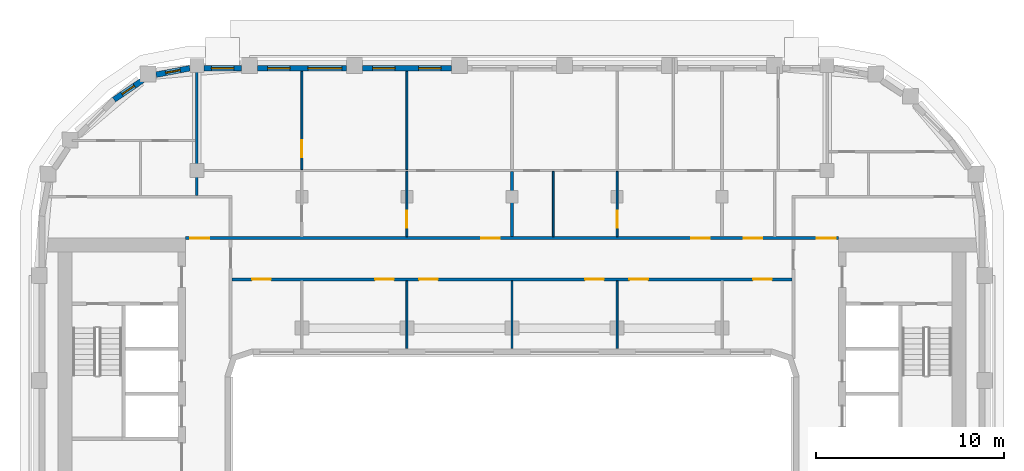
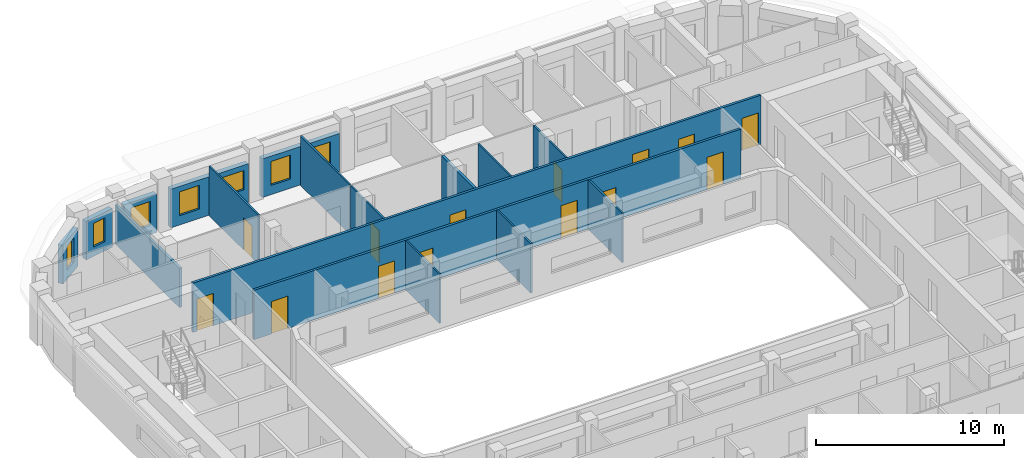
# One storey, part 7 of 21: 17 walls, 14 doors, 7 windows, 21 openings.
"""IFC4 building model written with IfcOpenShell, lengths in metres."""

from ifc_helpers import new_model, si_unit, direction, frame, frame_2d, origin, place, context, subcontext, project, spatial, rectangle, extrude, material, layer, layer_set, type_object, element, fill, save


model = new_model("IFC4")

# Units and contexts
model_context = context("Model", 3, precision=1e-05, world=origin(), true_north=direction((0.0, 1.0)))
body_context = subcontext(model_context, "Body", "Model", "MODEL_VIEW")
ifc_project = project(units=[si_unit("LENGTHUNIT", "METRE"), si_unit("AREAUNIT", "SQUARE_METRE"), si_unit("VOLUMEUNIT", "CUBIC_METRE"), si_unit("PLANEANGLEUNIT", "RADIAN"), si_unit("MASSUNIT", "GRAM", prefix="KILO")], contexts=[model_context])

# Site, building, storey
site_placement = place(None, origin())
site = spatial("IfcSite", under=ifc_project, at=site_placement, CompositionType="ELEMENT")
building_placement = place(site_placement, origin())
building = spatial("IfcBuilding", under=site, at=building_placement, Name="Kiln Ring Residences", CompositionType="ELEMENT")
storey_placement = place(building_placement, frame((0.0, 0.0, 220.39990234375)))
storey = spatial("IfcBuildingStorey", under=building, at=storey_placement, Name="L57", CompositionType="ELEMENT", Elevation=220.39990234375)

# Wall, openings, windows
ifc_material_1 = material(Name="Brick masonry, dark clay brick", Category="masonry")
ifc_layer_1 = layer(ifc_material_1, 0.300048828125)
ifc_layer_set_1 = layer_set([ifc_layer_1], Name="EW-300 BRICK WALL")
wall_type_1 = type_object("IfcWallType", Name="EW-300 BRICK WALL", PredefinedType="SOLIDWALL", material=ifc_layer_set_1)
wall_1_placement = place(storey_placement, frame((-3.22509765625, 22.25, 0.0), z_axis=(0.0, 0.0, 1.0), x_axis=(-1.0, 0.0, 0.0)))
wall_1 = element("IfcWall", 1, at=wall_1_placement, inside=storey, type_object=wall_type_1, Name="Facade wall L57 31", PredefinedType="SOLIDWALL", context=body_context, shape_type="SweptSolid", body=[
    extrude(rectangle(XDim=4.75, YDim=0.300048828125, at=frame_2d((2.375, 0.0))), origin(), (0.0, 0.0, 1.0), 2.5),
])
opening_1_placement = place(wall_1_placement, frame((0.550048828125, 0.0, 0.60009765625)))
opening_1 = element("IfcOpeningElement", 2, at=opening_1_placement, cuts=wall_1, Name="Opening W1", PredefinedType="OPENING", context=body_context, shape_type="SweptSolid", body=[
    extrude(rectangle(XDim=1.199951171875, YDim=1.550048828125, at=frame_2d((0.60009765625, 0.77490234375))), frame((0.0, 0.159912109375, 0.0), z_axis=(0.0, -1.0, 0.0), x_axis=(1.0, 0.0, 0.0)), (0.0, 0.0, 1.0), 0.320068359375),
])
opening_2_placement = place(wall_1_placement, frame((3.0, 0.0, 0.60009765625)))
opening_2 = element("IfcOpeningElement", 3, at=opening_2_placement, cuts=wall_1, Name="Opening W1", PredefinedType="OPENING", context=body_context, shape_type="SweptSolid", body=[
    extrude(rectangle(XDim=1.199951171875, YDim=1.550048828125, at=frame_2d((0.60009765625, 0.77490234375))), frame((0.0, 0.159912109375, 0.0), z_axis=(0.0, -1.0, 0.0), x_axis=(1.0, 0.0, 0.0)), (0.0, 0.0, 1.0), 0.320068359375),
])
ifc_material_2 = material(Name="Aluminium frame with double glazing", Category="aluminium")
window_type_1 = type_object("IfcWindowType", Name="WINDOW 1200 x 1550", PartitioningType="SINGLE_PANEL", PredefinedType="WINDOW", material=ifc_material_2)
window_1_placement = place(opening_1_placement, origin())
window_1 = element("IfcWindow", 4, at=window_1_placement, inside=storey, type_object=window_type_1, Name="Window L57 26", OverallHeight=1.550048828125, OverallWidth=1.199951171875, PartitioningType="SINGLE_PANEL", PredefinedType="WINDOW", context=body_context, shape_type="SweptSolid", body=[
    extrude(rectangle(XDim=1.199951171875, YDim=1.550048828125, at=frame_2d((0.60009765625, 0.77490234375))), frame((0.0, 0.030029296875, 0.0), z_axis=(0.0, -1.0, 0.0), x_axis=(1.0, 0.0, 0.0)), (0.0, 0.0, 1.0), 0.06005859375),
])
fill(opening_1, window_1)
window_2_placement = place(opening_2_placement, origin())
window_2 = element("IfcWindow", 5, at=window_2_placement, inside=storey, type_object=window_type_1, Name="Window L57 27", OverallHeight=1.550048828125, OverallWidth=1.199951171875, PartitioningType="SINGLE_PANEL", PredefinedType="WINDOW", context=body_context, shape_type="SweptSolid", body=[
    extrude(rectangle(XDim=1.199951171875, YDim=1.550048828125, at=frame_2d((0.60009765625, 0.77490234375))), frame((0.0, 0.030029296875, 0.0), z_axis=(0.0, -1.0, 0.0), x_axis=(1.0, 0.0, 0.0)), (0.0, 0.0, 1.0), 0.06005859375),
])
fill(opening_2, window_2)

wall_2_placement = place(storey_placement, frame((-8.824951171875, 22.25, 0.0), z_axis=(0.0, 0.0, 1.0), x_axis=(-1.0, 0.0, 0.0)))
wall_2 = element("IfcWall", 6, at=wall_2_placement, inside=storey, type_object=wall_type_1, Name="Facade wall L57 32", PredefinedType="SOLIDWALL", context=body_context, shape_type="SweptSolid", body=[
    extrude(rectangle(XDim=4.75, YDim=0.300048828125, at=frame_2d((2.375, 0.0))), origin(), (0.0, 0.0, 1.0), 2.5),
])
opening_3_placement = place(wall_2_placement, frame((0.25, 0.0, 0.89990234375)))
opening_3 = element("IfcOpeningElement", 7, at=opening_3_placement, cuts=wall_2, Name="Opening W2", PredefinedType="OPENING", context=body_context, shape_type="SweptSolid", body=[
    extrude(rectangle(XDim=1.800048828125, YDim=1.25, at=frame_2d((0.89990234375, 0.625))), frame((0.0, 0.159912109375, 0.0), z_axis=(0.0, -1.0, 0.0), x_axis=(1.0, 0.0, 0.0)), (0.0, 0.0, 1.0), 0.320068359375),
])
opening_4_placement = place(wall_2_placement, frame((3.0, 0.0, 0.60009765625)))
opening_4 = element("IfcOpeningElement", 8, at=opening_4_placement, cuts=wall_2, Name="Opening W1", PredefinedType="OPENING", context=body_context, shape_type="SweptSolid", body=[
    extrude(rectangle(XDim=1.199951171875, YDim=1.550048828125, at=frame_2d((0.60009765625, 0.77490234375))), frame((0.0, 0.159912109375, 0.0), z_axis=(0.0, -1.0, 0.0), x_axis=(1.0, 0.0, 0.0)), (0.0, 0.0, 1.0), 0.320068359375),
])
window_3_placement = place(opening_4_placement, origin())
window_3 = element("IfcWindow", 9, at=window_3_placement, inside=storey, type_object=window_type_1, Name="Window L57 29", OverallHeight=1.550048828125, OverallWidth=1.199951171875, PartitioningType="SINGLE_PANEL", PredefinedType="WINDOW", context=body_context, shape_type="SweptSolid", body=[
    extrude(rectangle(XDim=1.199951171875, YDim=1.550048828125, at=frame_2d((0.60009765625, 0.77490234375))), frame((0.0, 0.030029296875, 0.0), z_axis=(0.0, -1.0, 0.0), x_axis=(1.0, 0.0, 0.0)), (0.0, 0.0, 1.0), 0.06005859375),
])
fill(opening_4, window_3)
ifc_material_3 = material(Name="Aluminium frame with double glazing", Category="aluminium")
window_type_2 = type_object("IfcWindowType", Name="WINDOW 1800 x 1250", PartitioningType="SINGLE_PANEL", PredefinedType="WINDOW", material=ifc_material_3)
window_4_placement = place(opening_3_placement, origin())
window_4 = element("IfcWindow", 10, at=window_4_placement, inside=storey, type_object=window_type_2, Name="Window L57 28", OverallHeight=1.25, OverallWidth=1.800048828125, PartitioningType="SINGLE_PANEL", PredefinedType="WINDOW", context=body_context, shape_type="SweptSolid", body=[
    extrude(rectangle(XDim=1.800048828125, YDim=1.25, at=frame_2d((0.89990234375, 0.625))), frame((0.0, 0.030029296875, 0.0), z_axis=(0.0, -1.0, 0.0), x_axis=(1.0, 0.0, 0.0)), (0.0, 0.0, 1.0), 0.06005859375),
])
fill(opening_3, window_4)

# Wall, opening, window
wall_3_placement = place(storey_placement, frame((-14.425048828125, 22.25, 0.0), z_axis=(0.0, 0.0, 1.0), x_axis=(-1.0, 0.0, 0.0)))
wall_3 = element("IfcWall", 11, at=wall_3_placement, inside=storey, type_object=wall_type_1, Name="Facade wall L57 33", PredefinedType="SOLIDWALL", context=body_context, shape_type="SweptSolid", body=[
    extrude(rectangle(XDim=2.0, YDim=0.300048828125, at=frame_2d((1.0, 0.0))), origin(), (0.0, 0.0, 1.0), 2.5),
])
opening_5_placement = place(wall_3_placement, frame((0.39990234375, 0.0, 0.60009765625)))
opening_5 = element("IfcOpeningElement", 12, at=opening_5_placement, cuts=wall_3, Name="Opening W1", PredefinedType="OPENING", context=body_context, shape_type="SweptSolid", body=[
    extrude(rectangle(XDim=1.199951171875, YDim=1.550048828125, at=frame_2d((0.60009765625, 0.77490234375))), frame((0.0, 0.159912109375, 0.0), z_axis=(0.0, -1.0, 0.0), x_axis=(1.0, 0.0, 0.0)), (0.0, 0.0, 1.0), 0.320068359375),
])
window_5_placement = place(opening_5_placement, origin())
window_5 = element("IfcWindow", 13, at=window_5_placement, inside=storey, type_object=window_type_1, Name="Window L57 30", OverallHeight=1.550048828125, OverallWidth=1.199951171875, PartitioningType="SINGLE_PANEL", PredefinedType="WINDOW", context=body_context, shape_type="SweptSolid", body=[
    extrude(rectangle(XDim=1.199951171875, YDim=1.550048828125, at=frame_2d((0.60009765625, 0.77490234375))), frame((0.0, 0.030029296875, 0.0), z_axis=(0.0, -1.0, 0.0), x_axis=(1.0, 0.0, 0.0)), (0.0, 0.0, 1.0), 0.06005859375),
])
fill(opening_5, window_5)

wall_4_placement = place(storey_placement, frame((-17.171875, 22.252685546875, 0.0), z_axis=(0.0, 0.0, 1.0), x_axis=(-0.982300037503, -0.187314271538, 0.0)))
wall_4 = element("IfcWall", 14, at=wall_4_placement, inside=storey, type_object=wall_type_1, Name="Facade wall L57 34", PredefinedType="SOLIDWALL", context=body_context, shape_type="SweptSolid", body=[
    extrude(rectangle(XDim=1.831298828125, YDim=0.300048828125, at=frame_2d((0.91552734375, 0.0))), origin(), (0.0, 0.0, 1.0), 2.5),
])
opening_6_placement = place(wall_4_placement, frame((0.515625, 0.0, 0.60009765625)))
opening_6 = element("IfcOpeningElement", 15, at=opening_6_placement, cuts=wall_4, Name="Opening W5", PredefinedType="OPENING", context=body_context, shape_type="SweptSolid", body=[
    extrude(rectangle(XDim=0.800048828125, YDim=1.550048828125, at=frame_2d((0.39990234375, 0.77490234375))), frame((0.0, 0.159912109375, 0.0), z_axis=(0.0, -1.0, 0.0), x_axis=(1.0, 0.0, 0.0)), (0.0, 0.0, 1.0), 0.320068359375),
])
ifc_material_4 = material(Name="Aluminium frame with double glazing", Category="aluminium")
window_type_3 = type_object("IfcWindowType", Name="WINDOW 800 x 1550", PartitioningType="SINGLE_PANEL", PredefinedType="WINDOW", material=ifc_material_4)
window_6_placement = place(opening_6_placement, origin())
window_6 = element("IfcWindow", 16, at=window_6_placement, inside=storey, type_object=window_type_3, Name="Window L57 31", OverallHeight=1.550048828125, OverallWidth=0.800048828125, PartitioningType="SINGLE_PANEL", PredefinedType="WINDOW", context=body_context, shape_type="SweptSolid", body=[
    extrude(rectangle(XDim=0.800048828125, YDim=1.550048828125, at=frame_2d((0.39990234375, 0.77490234375))), frame((0.0, 0.030029296875, 0.0), z_axis=(0.0, -1.0, 0.0), x_axis=(1.0, 0.0, 0.0)), (0.0, 0.0, 1.0), 0.06005859375),
])
fill(opening_6, window_6)

wall_5_placement = place(storey_placement, frame((-19.6982421875, 21.608154296875, 0.0), z_axis=(0.0, 0.0, 1.0), x_axis=(-0.82705295608, -0.562124014644, 0.0)))
wall_5 = element("IfcWall", 17, at=wall_5_placement, inside=storey, type_object=wall_type_1, Name="Facade wall L57 35", PredefinedType="SOLIDWALL", context=body_context, shape_type="SweptSolid", body=[
    extrude(rectangle(XDim=1.8310546875, YDim=0.300048828125, at=frame_2d((0.91552734375, 0.0))), origin(), (0.0, 0.0, 1.0), 2.5),
])
opening_7_placement = place(wall_5_placement, frame((0.515625, 0.0, 0.60009765625)))
opening_7 = element("IfcOpeningElement", 18, at=opening_7_placement, cuts=wall_5, Name="Opening W5", PredefinedType="OPENING", context=body_context, shape_type="SweptSolid", body=[
    extrude(rectangle(XDim=0.800048828125, YDim=1.550048828125, at=frame_2d((0.39990234375, 0.77490234375))), frame((0.0, 0.159912109375, 0.0), z_axis=(0.0, -1.0, 0.0), x_axis=(1.0, 0.0, 0.0)), (0.0, 0.0, 1.0), 0.320068359375),
])
window_7_placement = place(opening_7_placement, origin())
window_7 = element("IfcWindow", 19, at=window_7_placement, inside=storey, type_object=window_type_3, Name="Window L57 32", OverallHeight=1.550048828125, OverallWidth=0.800048828125, PartitioningType="SINGLE_PANEL", PredefinedType="WINDOW", context=body_context, shape_type="SweptSolid", body=[
    extrude(rectangle(XDim=0.800048828125, YDim=1.550048828125, at=frame_2d((0.39990234375, 0.77490234375))), frame((0.0, 0.030029296875, 0.0), z_axis=(0.0, -1.0, 0.0), x_axis=(1.0, 0.0, 0.0)), (0.0, 0.0, 1.0), 0.06005859375),
])
fill(opening_7, window_7)

# Wall, opening, door
ifc_material_5 = material(Name="Gypsum board on steel studs", Category="steel")
ifc_layer_2 = layer(ifc_material_5, 0.10009765625)
ifc_layer_set_2 = layer_set([ifc_layer_2], Name="PARTITION-100")
wall_type_2 = type_object("IfcWallType", Name="PARTITION-100", PredefinedType="PARTITIONING", material=ifc_layer_set_2)
wall_6_placement = place(storey_placement, frame((-11.199951171875, 16.85009765625, 0.0), z_axis=(0.0, 0.0, 1.0), x_axis=(0.0, 1.0, 0.0)))
wall_6 = element("IfcWall", 20, at=wall_6_placement, inside=storey, type_object=wall_type_2, Name="Partition 026", PredefinedType="PARTITIONING", context=body_context, shape_type="SweptSolid", body=[
    extrude(rectangle(XDim=5.22998046875, YDim=0.10009765625, at=frame_2d((2.614990234375, 0.0))), origin(), (0.0, 0.0, 1.0), 3.2001953125),
])
opening_8_placement = place(wall_6_placement, frame((0.659912109375, 0.0, 0.0)))
opening_8 = element("IfcOpeningElement", 21, at=opening_8_placement, cuts=wall_6, Name="Opening L57-D020", PredefinedType="OPENING", context=body_context, shape_type="SweptSolid", body=[
    extrude(rectangle(XDim=0.89990234375, YDim=2.10009765625, at=frame_2d((0.449951171875, 1.050048828125))), frame((0.0, 0.06005859375, 0.0), z_axis=(0.0, -1.0, 0.0), x_axis=(1.0, 0.0, 0.0)), (0.0, 0.0, 1.0), 0.1201171875),
])
ifc_material_6 = material(Name="Timber door leaf", Category="wood")
door_type_1 = type_object("IfcDoorType", Name="FLAT-DOOR-900-PL", OperationType="SINGLE_SWING_LEFT", PredefinedType="DOOR", material=ifc_material_6)
door_1_placement = place(opening_8_placement, origin())
door_1 = element("IfcDoor", 22, at=door_1_placement, inside=storey, type_object=door_type_1, Name="Door L57-D020", OperationType="SINGLE_SWING_RIGHT", OverallHeight=2.10009765625, OverallWidth=0.89990234375, PredefinedType="DOOR", context=body_context, shape_type="SweptSolid", body=[
    extrude(rectangle(XDim=0.89990234375, YDim=2.10009765625, at=frame_2d((0.449951171875, 1.050048828125))), frame((0.0, 0.02490234375, 0.0), z_axis=(0.0, -1.0, 0.0), x_axis=(1.0, 0.0, 0.0)), (0.0, 0.0, 1.0), 0.050048828125),
])
fill(opening_8, door_1)

# Wall
wall_7_placement = place(storey_placement, frame((-5.60009765625, 7.320068359375, 0.0), z_axis=(0.0, 0.0, 1.0), x_axis=(0.0, 1.0, 0.0)))
element("IfcWall", 23, at=wall_7_placement, inside=storey, type_object=wall_type_2, Name="Partition 033", PredefinedType="PARTITIONING", context=body_context, shape_type="SweptSolid", body=[
    extrude(rectangle(XDim=3.60498046875, YDim=0.10009765625, at=frame_2d((1.802490234375, 0.0))), origin(), (0.0, 0.0, 1.0), 3.2001953125),
])

# Wall, opening, door
wall_8_placement = place(storey_placement, frame((-5.60009765625, 13.27490234375, 0.0), z_axis=(0.0, 0.0, 1.0), x_axis=(0.0, 1.0, 0.0)))
wall_8 = element("IfcWall", 24, at=wall_8_placement, inside=storey, type_object=wall_type_2, Name="Partition 034", PredefinedType="PARTITIONING", context=body_context, shape_type="SweptSolid", body=[
    extrude(rectangle(XDim=3.47509765625, YDim=0.10009765625, at=frame_2d((1.737548828125, 0.0))), origin(), (0.0, 0.0, 1.0), 3.2001953125),
])
opening_9_placement = place(wall_8_placement, frame((0.47509765625, 0.0, 0.0)))
opening_9 = element("IfcOpeningElement", 25, at=opening_9_placement, cuts=wall_8, Name="Opening L57-D016", PredefinedType="OPENING", context=body_context, shape_type="SweptSolid", body=[
    extrude(rectangle(XDim=0.89990234375, YDim=2.10009765625, at=frame_2d((0.449951171875, 1.050048828125))), frame((0.0, 0.06005859375, 0.0), z_axis=(0.0, -1.0, 0.0), x_axis=(1.0, 0.0, 0.0)), (0.0, 0.0, 1.0), 0.1201171875),
])
door_2_placement = place(opening_9_placement, origin())
door_2 = element("IfcDoor", 26, at=door_2_placement, inside=storey, type_object=door_type_1, Name="Door L57-D016", OperationType="SINGLE_SWING_RIGHT", OverallHeight=2.10009765625, OverallWidth=0.89990234375, PredefinedType="DOOR", context=body_context, shape_type="SweptSolid", body=[
    extrude(rectangle(XDim=0.89990234375, YDim=2.10009765625, at=frame_2d((0.449951171875, 1.050048828125))), frame((0.0, 0.02490234375, 0.0), z_axis=(0.0, -1.0, 0.0), x_axis=(1.0, 0.0, 0.0)), (0.0, 0.0, 1.0), 0.050048828125),
])
fill(opening_9, door_2)

# Walls
wall_9_placement = place(storey_placement, frame((-5.60009765625, 16.85009765625, 0.0), z_axis=(0.0, 0.0, 1.0), x_axis=(0.0, 1.0, 0.0)))
element("IfcWall", 27, at=wall_9_placement, inside=storey, type_object=wall_type_2, Name="Partition 035", PredefinedType="PARTITIONING", context=body_context, shape_type="SweptSolid", body=[
    extrude(rectangle(XDim=5.22998046875, YDim=0.10009765625, at=frame_2d((2.614990234375, 0.0))), origin(), (0.0, 0.0, 1.0), 3.2001953125),
])
wall_10_placement = place(storey_placement, frame((0.0, 7.320068359375, 0.0), z_axis=(0.0, 0.0, 1.0), x_axis=(0.0, 1.0, 0.0)))
element("IfcWall", 28, at=wall_10_placement, inside=storey, type_object=wall_type_2, Name="Partition 038", PredefinedType="PARTITIONING", context=body_context, shape_type="SweptSolid", body=[
    extrude(rectangle(XDim=3.60498046875, YDim=0.10009765625, at=frame_2d((1.802490234375, 0.0))), origin(), (0.0, 0.0, 1.0), 3.2001953125),
])
wall_11_placement = place(storey_placement, frame((2.199951171875, 13.27490234375, 0.0), z_axis=(0.0, 0.0, 1.0), x_axis=(0.0, 1.0, 0.0)))
element("IfcWall", 29, at=wall_11_placement, inside=storey, type_object=wall_type_2, Name="Partition 043", PredefinedType="PARTITIONING", context=body_context, shape_type="SweptSolid", body=[
    extrude(rectangle(XDim=3.47509765625, YDim=0.10009765625, at=frame_2d((1.737548828125, 0.0))), origin(), (0.0, 0.0, 1.0), 3.2001953125),
])
wall_12_placement = place(storey_placement, frame((5.60009765625, 7.320068359375, 0.0), z_axis=(0.0, 0.0, 1.0), x_axis=(0.0, 1.0, 0.0)))
element("IfcWall", 30, at=wall_12_placement, inside=storey, type_object=wall_type_2, Name="Partition 048", PredefinedType="PARTITIONING", context=body_context, shape_type="SweptSolid", body=[
    extrude(rectangle(XDim=3.60498046875, YDim=0.10009765625, at=frame_2d((1.802490234375, 0.0))), origin(), (0.0, 0.0, 1.0), 3.2001953125),
])

# Wall, opening, door
wall_13_placement = place(storey_placement, frame((5.60009765625, 13.27490234375, 0.0), z_axis=(0.0, 0.0, 1.0), x_axis=(0.0, 1.0, 0.0)))
wall_13 = element("IfcWall", 31, at=wall_13_placement, inside=storey, type_object=wall_type_2, Name="Partition 049", PredefinedType="PARTITIONING", context=body_context, shape_type="SweptSolid", body=[
    extrude(rectangle(XDim=3.47509765625, YDim=0.10009765625, at=frame_2d((1.737548828125, 0.0))), origin(), (0.0, 0.0, 1.0), 3.2001953125),
])
opening_10_placement = place(wall_13_placement, frame((0.47509765625, 0.0, 0.0)))
opening_10 = element("IfcOpeningElement", 32, at=opening_10_placement, cuts=wall_13, Name="Opening L57-D022", PredefinedType="OPENING", context=body_context, shape_type="SweptSolid", body=[
    extrude(rectangle(XDim=0.89990234375, YDim=2.10009765625, at=frame_2d((0.449951171875, 1.050048828125))), frame((0.0, 0.06005859375, 0.0), z_axis=(0.0, -1.0, 0.0), x_axis=(1.0, 0.0, 0.0)), (0.0, 0.0, 1.0), 0.1201171875),
])
door_3_placement = place(opening_10_placement, origin())
door_3 = element("IfcDoor", 33, at=door_3_placement, inside=storey, type_object=door_type_1, Name="Door L57-D022", OperationType="SINGLE_SWING_RIGHT", OverallHeight=2.10009765625, OverallWidth=0.89990234375, PredefinedType="DOOR", context=body_context, shape_type="SweptSolid", body=[
    extrude(rectangle(XDim=0.89990234375, YDim=2.10009765625, at=frame_2d((0.449951171875, 1.050048828125))), frame((0.0, 0.02490234375, 0.0), z_axis=(0.0, -1.0, 0.0), x_axis=(1.0, 0.0, 0.0)), (0.0, 0.0, 1.0), 0.050048828125),
])
fill(opening_10, door_3)

# Wall, openings, doors
ifc_material_7 = material(Name="Brick masonry partition", Category="masonry")
ifc_layer_3 = layer(ifc_material_7, 0.14990234375)
ifc_layer_set_3 = layer_set([ifc_layer_3], Name="PARTITION-150-ei60")
wall_type_3 = type_object("IfcWallType", Name="PARTITION-150-ei60", PredefinedType="PARTITIONING", material=ifc_layer_set_3)
wall_14_placement = place(storey_placement, frame((-14.925048828125, 11.0, 0.0), z_axis=(0.0, 0.0, 1.0), x_axis=(1.0, 0.0, 0.0)))
wall_14 = element("IfcWall", 34, at=wall_14_placement, inside=storey, type_object=wall_type_3, Name="Partition 007", PredefinedType="PARTITIONING", context=body_context, shape_type="SweptSolid", body=[
    extrude(rectangle(XDim=29.85009765625, YDim=0.14990234375, at=frame_2d((14.925048828125, 0.0))), origin(), (0.0, 0.0, 1.0), 3.2001953125),
])
opening_11_placement = place(wall_14_placement, frame((1.075927734375, 0.0, 0.0)))
opening_11 = element("IfcOpeningElement", 35, at=opening_11_placement, cuts=wall_14, Name="Opening L57-D009", PredefinedType="OPENING", context=body_context, shape_type="SweptSolid", body=[
    extrude(rectangle(XDim=1.0, YDim=2.10009765625, at=frame_2d((0.5, 1.050048828125))), frame((0.0, 0.0849609375, 0.0), z_axis=(0.0, -1.0, 0.0), x_axis=(1.0, 0.0, 0.0)), (0.0, 0.0, 1.0), 0.169921875),
])
opening_12_placement = place(wall_14_placement, frame((7.625, 0.0, 0.0)))
opening_12 = element("IfcOpeningElement", 36, at=opening_12_placement, cuts=wall_14, Name="Opening L57-D010", PredefinedType="OPENING", context=body_context, shape_type="SweptSolid", body=[
    extrude(rectangle(XDim=1.0, YDim=2.10009765625, at=frame_2d((0.5, 1.050048828125))), frame((0.0, 0.0849609375, 0.0), z_axis=(0.0, -1.0, 0.0), x_axis=(1.0, 0.0, 0.0)), (0.0, 0.0, 1.0), 0.169921875),
])
opening_13_placement = place(wall_14_placement, frame((9.97509765625, 0.0, 0.0)))
opening_13 = element("IfcOpeningElement", 37, at=opening_13_placement, cuts=wall_14, Name="Opening L57-D011", PredefinedType="OPENING", context=body_context, shape_type="SweptSolid", body=[
    extrude(rectangle(XDim=1.0, YDim=2.10009765625, at=frame_2d((0.5, 1.050048828125))), frame((0.0, 0.0849609375, 0.0), z_axis=(0.0, -1.0, 0.0), x_axis=(1.0, 0.0, 0.0)), (0.0, 0.0, 1.0), 0.169921875),
])
opening_14_placement = place(wall_14_placement, frame((18.824951171875, 0.0, 0.0)))
opening_14 = element("IfcOpeningElement", 38, at=opening_14_placement, cuts=wall_14, Name="Opening L57-D012", PredefinedType="OPENING", context=body_context, shape_type="SweptSolid", body=[
    extrude(rectangle(XDim=1.0, YDim=2.10009765625, at=frame_2d((0.5, 1.050048828125))), frame((0.0, 0.0849609375, 0.0), z_axis=(0.0, -1.0, 0.0), x_axis=(1.0, 0.0, 0.0)), (0.0, 0.0, 1.0), 0.169921875),
])
opening_15_placement = place(wall_14_placement, frame((21.175048828125, 0.0, 0.0)))
opening_15 = element("IfcOpeningElement", 39, at=opening_15_placement, cuts=wall_14, Name="Opening L57-D013", PredefinedType="OPENING", context=body_context, shape_type="SweptSolid", body=[
    extrude(rectangle(XDim=1.0, YDim=2.10009765625, at=frame_2d((0.5, 1.050048828125))), frame((0.0, 0.0849609375, 0.0), z_axis=(0.0, -1.0, 0.0), x_axis=(1.0, 0.0, 0.0)), (0.0, 0.0, 1.0), 0.169921875),
])
opening_16_placement = place(wall_14_placement, frame((27.77490234375, 0.0, 0.0)))
opening_16 = element("IfcOpeningElement", 40, at=opening_16_placement, cuts=wall_14, Name="Opening L57-D014", PredefinedType="OPENING", context=body_context, shape_type="SweptSolid", body=[
    extrude(rectangle(XDim=1.0, YDim=2.10009765625, at=frame_2d((0.5, 1.050048828125))), frame((0.0, 0.0849609375, 0.0), z_axis=(0.0, -1.0, 0.0), x_axis=(1.0, 0.0, 0.0)), (0.0, 0.0, 1.0), 0.169921875),
])
ifc_material_8 = material(Name="Steel faced fire door leaf", Category="steel")
door_type_2 = type_object("IfcDoorType", Name="FLAT-DOOR-1000-FR", OperationType="SINGLE_SWING_LEFT", PredefinedType="DOOR", material=ifc_material_8)
door_4_placement = place(opening_11_placement, origin())
door_4 = element("IfcDoor", 41, at=door_4_placement, inside=storey, type_object=door_type_2, Name="Door L57-D009", OperationType="SINGLE_SWING_LEFT", OverallHeight=2.10009765625, OverallWidth=1.0, PredefinedType="DOOR", context=body_context, shape_type="SweptSolid", body=[
    extrude(rectangle(XDim=1.0, YDim=2.10009765625, at=frame_2d((0.5, 1.050048828125))), frame((0.0, 0.02490234375, 0.0), z_axis=(0.0, -1.0, 0.0), x_axis=(1.0, 0.0, 0.0)), (0.0, 0.0, 1.0), 0.050048828125),
])
fill(opening_11, door_4)
door_5_placement = place(opening_12_placement, origin())
door_5 = element("IfcDoor", 42, at=door_5_placement, inside=storey, type_object=door_type_2, Name="Door L57-D010", OperationType="SINGLE_SWING_RIGHT", OverallHeight=2.10009765625, OverallWidth=1.0, PredefinedType="DOOR", context=body_context, shape_type="SweptSolid", body=[
    extrude(rectangle(XDim=1.0, YDim=2.10009765625, at=frame_2d((0.5, 1.050048828125))), frame((0.0, 0.02490234375, 0.0), z_axis=(0.0, -1.0, 0.0), x_axis=(1.0, 0.0, 0.0)), (0.0, 0.0, 1.0), 0.050048828125),
])
fill(opening_12, door_5)
door_6_placement = place(opening_13_placement, origin())
door_6 = element("IfcDoor", 43, at=door_6_placement, inside=storey, type_object=door_type_2, Name="Door L57-D011", OperationType="SINGLE_SWING_LEFT", OverallHeight=2.10009765625, OverallWidth=1.0, PredefinedType="DOOR", context=body_context, shape_type="SweptSolid", body=[
    extrude(rectangle(XDim=1.0, YDim=2.10009765625, at=frame_2d((0.5, 1.050048828125))), frame((0.0, 0.02490234375, 0.0), z_axis=(0.0, -1.0, 0.0), x_axis=(1.0, 0.0, 0.0)), (0.0, 0.0, 1.0), 0.050048828125),
])
fill(opening_13, door_6)
door_7_placement = place(opening_14_placement, origin())
door_7 = element("IfcDoor", 44, at=door_7_placement, inside=storey, type_object=door_type_2, Name="Door L57-D012", OperationType="SINGLE_SWING_RIGHT", OverallHeight=2.10009765625, OverallWidth=1.0, PredefinedType="DOOR", context=body_context, shape_type="SweptSolid", body=[
    extrude(rectangle(XDim=1.0, YDim=2.10009765625, at=frame_2d((0.5, 1.050048828125))), frame((0.0, 0.02490234375, 0.0), z_axis=(0.0, -1.0, 0.0), x_axis=(1.0, 0.0, 0.0)), (0.0, 0.0, 1.0), 0.050048828125),
])
fill(opening_14, door_7)
door_8_placement = place(opening_15_placement, origin())
door_8 = element("IfcDoor", 45, at=door_8_placement, inside=storey, type_object=door_type_2, Name="Door L57-D013", OperationType="SINGLE_SWING_LEFT", OverallHeight=2.10009765625, OverallWidth=1.0, PredefinedType="DOOR", context=body_context, shape_type="SweptSolid", body=[
    extrude(rectangle(XDim=1.0, YDim=2.10009765625, at=frame_2d((0.5, 1.050048828125))), frame((0.0, 0.02490234375, 0.0), z_axis=(0.0, -1.0, 0.0), x_axis=(1.0, 0.0, 0.0)), (0.0, 0.0, 1.0), 0.050048828125),
])
fill(opening_15, door_8)
door_9_placement = place(opening_16_placement, origin())
door_9 = element("IfcDoor", 46, at=door_9_placement, inside=storey, type_object=door_type_2, Name="Door L57-D014", OperationType="SINGLE_SWING_RIGHT", OverallHeight=2.10009765625, OverallWidth=1.0, PredefinedType="DOOR", context=body_context, shape_type="SweptSolid", body=[
    extrude(rectangle(XDim=1.0, YDim=2.10009765625, at=frame_2d((0.5, 1.050048828125))), frame((0.0, 0.02490234375, 0.0), z_axis=(0.0, -1.0, 0.0), x_axis=(1.0, 0.0, 0.0)), (0.0, 0.0, 1.0), 0.050048828125),
])
fill(opening_16, door_9)

wall_15_placement = place(storey_placement, frame((-17.39990234375, 13.199951171875, 0.0), z_axis=(0.0, 0.0, 1.0), x_axis=(1.0, 0.0, 0.0)))
wall_15 = element("IfcWall", 47, at=wall_15_placement, inside=storey, type_object=wall_type_3, Name="Partition 008", PredefinedType="PARTITIONING", context=body_context, shape_type="SweptSolid", body=[
    extrude(rectangle(XDim=34.7998046875, YDim=0.14990234375, at=frame_2d((17.39990234375, 0.0))), origin(), (0.0, 0.0, 1.0), 3.2001953125),
])
opening_17_placement = place(wall_15_placement, frame((0.25, 0.0, 0.0)))
opening_17 = element("IfcOpeningElement", 48, at=opening_17_placement, cuts=wall_15, Name="Opening L57-D003", PredefinedType="OPENING", context=body_context, shape_type="SweptSolid", body=[
    extrude(rectangle(XDim=1.0, YDim=2.10009765625, at=frame_2d((0.5, 1.050048828125))), frame((0.0, 0.0849609375, 0.0), z_axis=(0.0, -1.0, 0.0), x_axis=(1.0, 0.0, 0.0)), (0.0, 0.0, 1.0), 0.169921875),
])
opening_18_placement = place(wall_15_placement, frame((33.64990234375, 0.0, 0.0)))
opening_18 = element("IfcOpeningElement", 49, at=opening_18_placement, cuts=wall_15, Name="Opening L57-D004", PredefinedType="OPENING", context=body_context, shape_type="SweptSolid", body=[
    extrude(rectangle(XDim=1.0, YDim=2.10009765625, at=frame_2d((0.5, 1.050048828125))), frame((0.0, 0.0849609375, 0.0), z_axis=(0.0, -1.0, 0.0), x_axis=(1.0, 0.0, 0.0)), (0.0, 0.0, 1.0), 0.169921875),
])
opening_19_placement = place(wall_15_placement, frame((15.75, 0.0, 0.0)))
opening_19 = element("IfcOpeningElement", 50, at=opening_19_placement, cuts=wall_15, Name="Opening L57-D015", PredefinedType="OPENING", context=body_context, shape_type="SweptSolid", body=[
    extrude(rectangle(XDim=1.0, YDim=2.10009765625, at=frame_2d((0.5, 1.050048828125))), frame((0.0, 0.0849609375, 0.0), z_axis=(0.0, -1.0, 0.0), x_axis=(1.0, 0.0, 0.0)), (0.0, 0.0, 1.0), 0.169921875),
])
opening_20_placement = place(wall_15_placement, frame((26.949951171875, 0.0, 0.0)))
opening_20 = element("IfcOpeningElement", 51, at=opening_20_placement, cuts=wall_15, Name="Opening L57-D021", PredefinedType="OPENING", context=body_context, shape_type="SweptSolid", body=[
    extrude(rectangle(XDim=1.0, YDim=2.10009765625, at=frame_2d((0.5, 1.050048828125))), frame((0.0, 0.0849609375, 0.0), z_axis=(0.0, -1.0, 0.0), x_axis=(1.0, 0.0, 0.0)), (0.0, 0.0, 1.0), 0.169921875),
])
opening_21_placement = place(wall_15_placement, frame((29.75, 0.0, 0.0)))
opening_21 = element("IfcOpeningElement", 52, at=opening_21_placement, cuts=wall_15, Name="Opening L57-D027", PredefinedType="OPENING", context=body_context, shape_type="SweptSolid", body=[
    extrude(rectangle(XDim=1.0, YDim=2.10009765625, at=frame_2d((0.5, 1.050048828125))), frame((0.0, 0.0849609375, 0.0), z_axis=(0.0, -1.0, 0.0), x_axis=(1.0, 0.0, 0.0)), (0.0, 0.0, 1.0), 0.169921875),
])
door_10_placement = place(opening_17_placement, origin())
door_10 = element("IfcDoor", 53, at=door_10_placement, inside=storey, type_object=door_type_2, Name="Door L57-D003", OperationType="SINGLE_SWING_LEFT", OverallHeight=2.10009765625, OverallWidth=1.0, PredefinedType="DOOR", context=body_context, shape_type="SweptSolid", body=[
    extrude(rectangle(XDim=1.0, YDim=2.10009765625, at=frame_2d((0.5, 1.050048828125))), frame((0.0, 0.02490234375, 0.0), z_axis=(0.0, -1.0, 0.0), x_axis=(1.0, 0.0, 0.0)), (0.0, 0.0, 1.0), 0.050048828125),
])
fill(opening_17, door_10)
door_11_placement = place(opening_18_placement, origin())
door_11 = element("IfcDoor", 54, at=door_11_placement, inside=storey, type_object=door_type_2, Name="Door L57-D004", OperationType="SINGLE_SWING_RIGHT", OverallHeight=2.10009765625, OverallWidth=1.0, PredefinedType="DOOR", context=body_context, shape_type="SweptSolid", body=[
    extrude(rectangle(XDim=1.0, YDim=2.10009765625, at=frame_2d((0.5, 1.050048828125))), frame((0.0, 0.02490234375, 0.0), z_axis=(0.0, -1.0, 0.0), x_axis=(1.0, 0.0, 0.0)), (0.0, 0.0, 1.0), 0.050048828125),
])
fill(opening_18, door_11)
door_12_placement = place(opening_19_placement, origin())
door_12 = element("IfcDoor", 55, at=door_12_placement, inside=storey, type_object=door_type_2, Name="Door L57-D015", OperationType="SINGLE_SWING_LEFT", OverallHeight=2.10009765625, OverallWidth=1.0, PredefinedType="DOOR", context=body_context, shape_type="SweptSolid", body=[
    extrude(rectangle(XDim=1.0, YDim=2.10009765625, at=frame_2d((0.5, 1.050048828125))), frame((0.0, 0.02490234375, 0.0), z_axis=(0.0, -1.0, 0.0), x_axis=(1.0, 0.0, 0.0)), (0.0, 0.0, 1.0), 0.050048828125),
])
fill(opening_19, door_12)
door_13_placement = place(opening_20_placement, origin())
door_13 = element("IfcDoor", 56, at=door_13_placement, inside=storey, type_object=door_type_2, Name="Door L57-D021", OperationType="SINGLE_SWING_LEFT", OverallHeight=2.10009765625, OverallWidth=1.0, PredefinedType="DOOR", context=body_context, shape_type="SweptSolid", body=[
    extrude(rectangle(XDim=1.0, YDim=2.10009765625, at=frame_2d((0.5, 1.050048828125))), frame((0.0, 0.02490234375, 0.0), z_axis=(0.0, -1.0, 0.0), x_axis=(1.0, 0.0, 0.0)), (0.0, 0.0, 1.0), 0.050048828125),
])
fill(opening_20, door_13)
door_14_placement = place(opening_21_placement, origin())
door_14 = element("IfcDoor", 57, at=door_14_placement, inside=storey, type_object=door_type_2, Name="Door L57-D027", OperationType="SINGLE_SWING_LEFT", OverallHeight=2.10009765625, OverallWidth=1.0, PredefinedType="DOOR", context=body_context, shape_type="SweptSolid", body=[
    extrude(rectangle(XDim=1.0, YDim=2.10009765625, at=frame_2d((0.5, 1.050048828125))), frame((0.0, 0.02490234375, 0.0), z_axis=(0.0, -1.0, 0.0), x_axis=(1.0, 0.0, 0.0)), (0.0, 0.0, 1.0), 0.050048828125),
])
fill(opening_21, door_14)

# Walls
wall_16_placement = place(storey_placement, frame((-16.800048828125, 15.47509765625, 0.0), z_axis=(0.0, 0.0, 1.0), x_axis=(0.0, 1.0, 0.0)))
element("IfcWall", 58, at=wall_16_placement, inside=storey, type_object=wall_type_3, Name="Partition 017", PredefinedType="PARTITIONING", context=body_context, shape_type="SweptSolid", body=[
    extrude(rectangle(XDim=6.8349609375, YDim=0.14990234375, at=frame_2d((3.41748046875, 0.0))), origin(), (0.0, 0.0, 1.0), 2.550048828125),
])
wall_17_placement = place(storey_placement, frame((0.0, 13.27490234375, 0.0), z_axis=(0.0, 0.0, 1.0), x_axis=(0.0, 1.0, 0.0)))
element("IfcWall", 59, at=wall_17_placement, inside=storey, type_object=wall_type_3, Name="Partition 041", PredefinedType="PARTITIONING", context=body_context, shape_type="SweptSolid", body=[
    extrude(rectangle(XDim=3.47509765625, YDim=0.14990234375, at=frame_2d((1.737548828125, 0.0))), origin(), (0.0, 0.0, 1.0), 3.2001953125),
])

save(model, "model.ifc")
